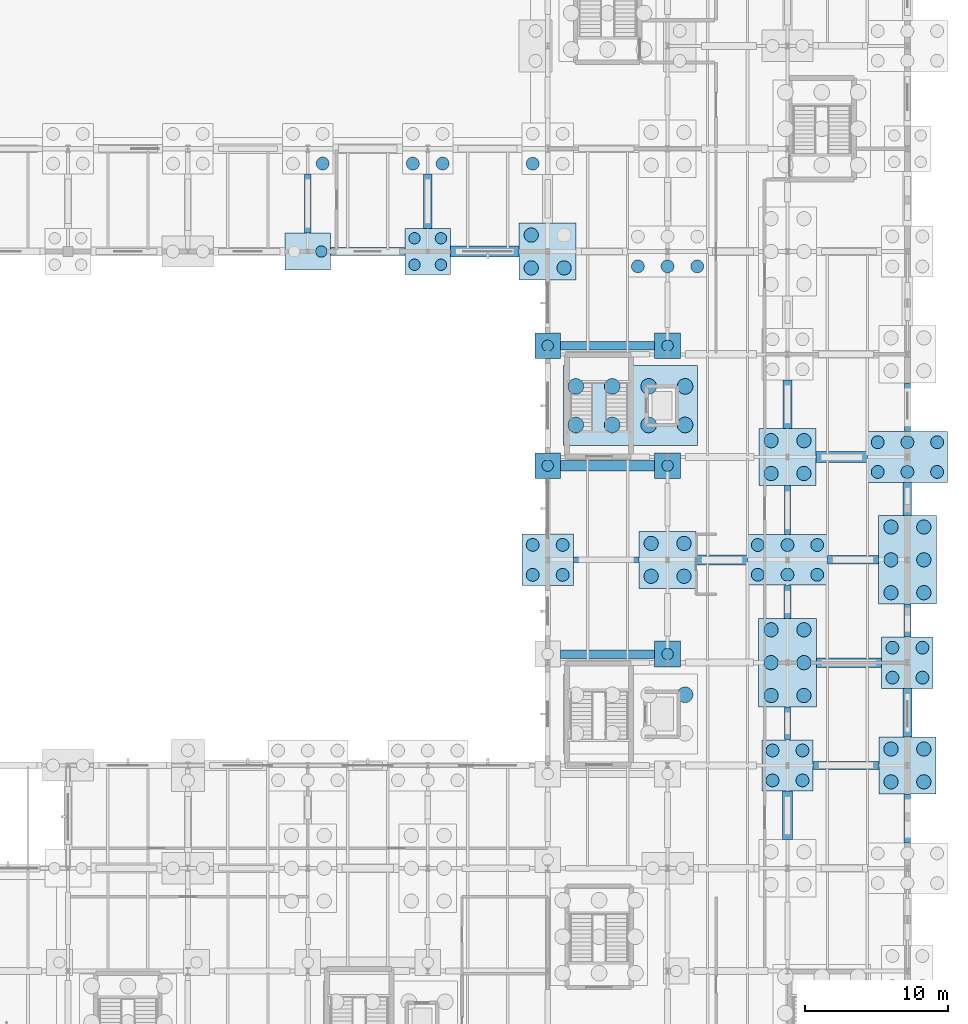
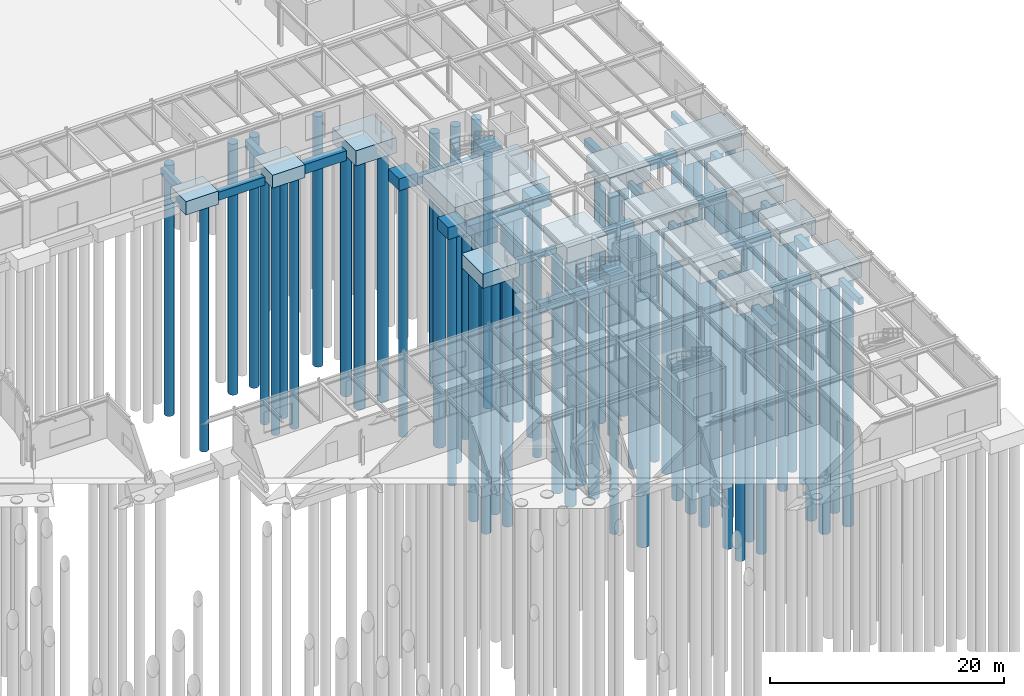
# One storey, part 7 of 93: 77 piles, 42 footings.
"""IFC4 building model written with IfcOpenShell, lengths in metres."""

from ifc_helpers import new_model, si_unit, derived_unit, direction, frame, origin, origin_2d, place, context, subcontext, project, spatial, rectangle, circle, extrude, material, material_profile, profile_set, type_object, element, save


model = new_model("IFC4")

# Units and contexts
model_context = context("Model", 3, precision=1e-05, world=origin(), true_north=direction((0.0, 1.0)))
body_context = subcontext(model_context, "Body", "Model", "MODEL_VIEW")
ifc_project = project(units=[si_unit("LENGTHUNIT", "METRE"), si_unit("AREAUNIT", "SQUARE_METRE"), si_unit("VOLUMEUNIT", "CUBIC_METRE"), si_unit("PLANEANGLEUNIT", "RADIAN"), si_unit("MASSUNIT", "GRAM", prefix="KILO"), derived_unit("THERMALTRANSMITTANCEUNIT", [(si_unit("MASSUNIT", "GRAM", prefix="KILO"), 1), (si_unit("TIMEUNIT", "SECOND"), -3), (si_unit("THERMODYNAMICTEMPERATUREUNIT", "KELVIN"), -1)])], contexts=[model_context])

# Site, building, storey
site_placement = place(None, origin())
site = spatial("IfcSite", under=ifc_project, at=site_placement, CompositionType="ELEMENT")
building_placement = place(site_placement, origin())
building = spatial("IfcBuilding", under=site, at=building_placement, Name="Kharveza Railside Sports Centre", CompositionType="ELEMENT")
storey_placement = place(building_placement, origin())
storey = spatial("IfcBuildingStorey", under=building, at=storey_placement, Name="L00", CompositionType="ELEMENT", Elevation=0.0)

# Footings
ifc_material = material(Name="Concrete C35/45", Category="concrete")
ifc_material_profile_1 = material_profile(ifc_material, rectangle(XDim=0.60009765625, YDim=0.800048828125, at=origin_2d()), Name="GB 600x800")
ifc_profile_set_1 = profile_set([ifc_material_profile_1], Name="Concrete C35/45")
footing_type_1 = type_object("IfcFootingType", Name="FT-GB01", PredefinedType="FOOTING_BEAM", material=ifc_profile_set_1)
footing_1_placement = place(storey_placement, frame((134.39990234375, 73.60302734375, -1.800048828125), z_axis=(0.0, 1.0, 0.0), x_axis=(-1.0, 0.0, 0.0)))
element("IfcFooting", 1, at=footing_1_placement, inside=storey, type_object=footing_type_1, Name="GB-NS-091", PredefinedType="FOOTING_BEAM", context=body_context, shape_type="SweptSolid", body=[
    extrude(rectangle(XDim=0.60009765625, YDim=0.800048828125, at=origin_2d()), origin(), (0.0, 0.0, 1.0), 3.819091796875),
])
footing_2_placement = place(storey_placement, frame((143.702880859375, 65.39990234375, -1.800048828125), z_axis=(1.0, 0.0, 0.0), x_axis=(0.0, 1.0, 0.0)))
element("IfcFooting", 2, at=footing_2_placement, inside=storey, type_object=footing_type_1, Name="GB-EW-101", PredefinedType="FOOTING_BEAM", context=body_context, shape_type="SweptSolid", body=[
    extrude(rectangle(XDim=0.60009765625, YDim=0.800048828125, at=origin_2d()), origin(), (0.0, 0.0, 1.0), 6.59423828125),
])
footing_3_placement = place(storey_placement, frame((159.60009765625, 59.60302734375, -1.800048828125), z_axis=(0.0, 1.0, 0.0), x_axis=(-1.0, 0.0, 0.0)))
element("IfcFooting", 3, at=footing_3_placement, inside=storey, type_object=footing_type_1, Name="GB-NS-131", PredefinedType="FOOTING_BEAM", context=body_context, shape_type="SweptSolid", body=[
    extrude(rectangle(XDim=0.60009765625, YDim=0.800048828125, at=origin_2d()), origin(), (0.0, 0.0, 1.0), 3.39404296875),
])
ifc_material_profile_2 = material_profile(ifc_material, rectangle(XDim=0.699951171875, YDim=0.89990234375, at=origin_2d()), Name="GB 700x900")
ifc_profile_set_2 = profile_set([ifc_material_profile_2], Name="Concrete C35/45")
footing_type_2 = type_object("IfcFootingType", Name="FT-GB03", PredefinedType="FOOTING_BEAM", material=ifc_profile_set_2)
footing_4_placement = place(storey_placement, frame((153.202880859375, 50.39990234375, -1.85009765625), z_axis=(1.0, 0.0, 0.0), x_axis=(0.0, 1.0, 0.0)))
element("IfcFooting", 4, at=footing_4_placement, inside=storey, type_object=footing_type_2, Name="GB-EW-113", PredefinedType="FOOTING_BEAM", context=body_context, shape_type="SweptSolid", body=[
    extrude(rectangle(XDim=0.699951171875, YDim=0.89990234375, at=origin_2d()), origin(), (0.0, 0.0, 1.0), 3.59423828125),
])
footing_5_placement = place(storey_placement, frame((159.60009765625, 30.802978515625, -1.85009765625), z_axis=(0.0, 1.0, 0.0), x_axis=(-1.0, 0.0, 0.0)))
element("IfcFooting", 5, at=footing_5_placement, inside=storey, type_object=footing_type_2, Name="GB-NS-123", PredefinedType="FOOTING_BEAM", context=body_context, shape_type="SweptSolid", body=[
    extrude(rectangle(XDim=0.699951171875, YDim=0.89990234375, at=origin_2d()), origin(), (0.0, 0.0, 1.0), 3.39404296875),
])
ifc_material_profile_3 = material_profile(ifc_material, rectangle(XDim=0.550048828125, YDim=0.85009765625, at=origin_2d()), Name="GB 550x850")
ifc_profile_set_3 = profile_set([ifc_material_profile_3], Name="Concrete C35/45")
footing_type_3 = type_object("IfcFootingType", Name="FT-GB04", PredefinedType="FOOTING_BEAM", material=ifc_profile_set_3)
footing_6_placement = place(storey_placement, frame((127.60302734375, 72.0, -1.824951171875), z_axis=(1.0, 0.0, 0.0), x_axis=(0.0, 1.0, 0.0)))
element("IfcFooting", 6, at=footing_6_placement, inside=storey, type_object=footing_type_3, Name="GB-EW-084", PredefinedType="FOOTING_BEAM", context=body_context, shape_type="SweptSolid", body=[
    extrude(rectangle(XDim=0.550048828125, YDim=0.85009765625, at=origin_2d()), origin(), (0.0, 0.0, 1.0), 5.194091796875),
])
footing_7_placement = place(storey_placement, frame((161.403076171875, 36.0, -1.824951171875), z_axis=(1.0, 0.0, 0.0), x_axis=(0.0, 1.0, 0.0)))
element("IfcFooting", 7, at=footing_7_placement, inside=storey, type_object=footing_type_3, Name="GB-EW-124", PredefinedType="FOOTING_BEAM", context=body_context, shape_type="SweptSolid", body=[
    extrude(rectangle(XDim=0.550048828125, YDim=0.85009765625, at=origin_2d()), origin(), (0.0, 0.0, 1.0), 4.593994140625),
])
ifc_material_profile_4 = material_profile(ifc_material, rectangle(XDim=0.449951171875, YDim=0.699951171875, at=origin_2d()), Name="GB 450x700")
ifc_profile_set_4 = profile_set([ifc_material_profile_4], Name="Concrete C35/45")
footing_type_4 = type_object("IfcFootingType", Name="FT-GB05", PredefinedType="FOOTING_BEAM", material=ifc_profile_set_4)
footing_8_placement = place(storey_placement, frame((126.0, 73.302978515625, -1.75), z_axis=(0.0, 1.0, 0.0), x_axis=(-1.0, 0.0, 0.0)))
element("IfcFooting", 8, at=footing_8_placement, inside=storey, type_object=footing_type_4, Name="GB-NS-085", PredefinedType="FOOTING_BEAM", context=body_context, shape_type="SweptSolid", body=[
    extrude(rectangle(XDim=0.449951171875, YDim=0.699951171875, at=origin_2d()), origin(), (0.0, 0.0, 1.0), 4.119140625),
])
footing_9_placement = place(storey_placement, frame((159.60009765625, 37.802978515625, -1.75), z_axis=(0.0, 1.0, 0.0), x_axis=(-1.0, 0.0, 0.0)))
element("IfcFooting", 9, at=footing_9_placement, inside=storey, type_object=footing_type_4, Name="GB-NS-125", PredefinedType="FOOTING_BEAM", context=body_context, shape_type="SweptSolid", body=[
    extrude(rectangle(XDim=0.449951171875, YDim=0.699951171875, at=origin_2d()), origin(), (0.0, 0.0, 1.0), 2.2939453125),
])
footing_10_placement = place(storey_placement, frame((168.0, 30.577880859375, -1.75), z_axis=(0.0, 1.0, 0.0), x_axis=(-1.0, 0.0, 0.0)))
element("IfcFooting", 10, at=footing_10_placement, inside=storey, type_object=footing_type_4, Name="GB-NS-145", PredefinedType="FOOTING_BEAM", context=body_context, shape_type="SweptSolid", body=[
    extrude(rectangle(XDim=0.449951171875, YDim=0.699951171875, at=origin_2d()), origin(), (0.0, 0.0, 1.0), 3.419189453125),
])
ifc_material_profile_5 = material_profile(ifc_material, rectangle(XDim=0.64990234375, YDim=0.85009765625, at=origin_2d()), Name="GB 650x850")
ifc_profile_set_5 = profile_set([ifc_material_profile_5], Name="Concrete C35/45")
footing_type_5 = type_object("IfcFootingType", Name="FT-GB06", PredefinedType="FOOTING_BEAM", material=ifc_profile_set_5)
footing_11_placement = place(storey_placement, frame((161.6279296875, 43.199951171875, -1.824951171875), z_axis=(1.0, 0.0, 0.0), x_axis=(0.0, 1.0, 0.0)))
element("IfcFooting", 11, at=footing_11_placement, inside=storey, type_object=footing_type_5, Name="GB-EW-126", PredefinedType="FOOTING_BEAM", context=body_context, shape_type="SweptSolid", body=[
    extrude(rectangle(XDim=0.64990234375, YDim=0.85009765625, at=origin_2d()), origin(), (0.0, 0.0, 1.0), 4.569091796875),
])
footing_12_placement = place(storey_placement, frame((168.0, 38.0029296875, -1.824951171875), z_axis=(0.0, 1.0, 0.0), x_axis=(-1.0, 0.0, 0.0)))
element("IfcFooting", 12, at=footing_12_placement, inside=storey, type_object=footing_type_5, Name="GB-NS-146", PredefinedType="FOOTING_BEAM", context=body_context, shape_type="SweptSolid", body=[
    extrude(rectangle(XDim=0.64990234375, YDim=0.85009765625, at=origin_2d()), origin(), (0.0, 0.0, 1.0), 3.39404296875),
])
ifc_material_profile_6 = material_profile(ifc_material, rectangle(XDim=0.5, YDim=0.85009765625, at=origin_2d()), Name="GB 500x850")
ifc_profile_set_6 = profile_set([ifc_material_profile_6], Name="Concrete C35/45")
footing_type_6 = type_object("IfcFootingType", Name="FT-GB07", PredefinedType="FOOTING_BEAM", material=ifc_profile_set_6)
footing_13_placement = place(storey_placement, frame((159.60009765625, 46.302978515625, -1.824951171875), z_axis=(0.0, 1.0, 0.0), x_axis=(-1.0, 0.0, 0.0)))
element("IfcFooting", 13, at=footing_13_placement, inside=storey, type_object=footing_type_6, Name="GB-NS-127", PredefinedType="FOOTING_BEAM", context=body_context, shape_type="SweptSolid", body=[
    extrude(rectangle(XDim=0.5, YDim=0.85009765625, at=origin_2d()), origin(), (0.0, 0.0, 1.0), 2.319091796875),
])
footing_14_placement = place(storey_placement, frame((168.0, 45.0029296875, -1.824951171875), z_axis=(0.0, 1.0, 0.0), x_axis=(-1.0, 0.0, 0.0)))
element("IfcFooting", 14, at=footing_14_placement, inside=storey, type_object=footing_type_6, Name="GB-NS-147", PredefinedType="FOOTING_BEAM", context=body_context, shape_type="SweptSolid", body=[
    extrude(rectangle(XDim=0.5, YDim=0.85009765625, at=origin_2d()), origin(), (0.0, 0.0, 1.0), 2.294189453125),
])
ifc_material_profile_7 = material_profile(ifc_material, rectangle(XDim=0.60009765625, YDim=0.949951171875, at=origin_2d()), Name="GB 600x950")
ifc_profile_set_7 = profile_set([ifc_material_profile_7], Name="Concrete C35/45")
footing_type_7 = type_object("IfcFootingType", Name="FT-GB08", PredefinedType="FOOTING_BEAM", material=ifc_profile_set_7)
footing_15_placement = place(storey_placement, frame((143.702880859375, 43.800048828125, -1.875), z_axis=(1.0, 0.0, 0.0), x_axis=(0.0, 1.0, 0.0)))
element("IfcFooting", 15, at=footing_15_placement, inside=storey, type_object=footing_type_7, Name="GB-EW-098", PredefinedType="FOOTING_BEAM", context=body_context, shape_type="SweptSolid", body=[
    extrude(rectangle(XDim=0.60009765625, YDim=0.949951171875, at=origin_2d()), origin(), (0.0, 0.0, 1.0), 6.59423828125),
])
footing_16_placement = place(storey_placement, frame((162.403076171875, 50.39990234375, -1.875), z_axis=(1.0, 0.0, 0.0), x_axis=(0.0, 1.0, 0.0)))
element("IfcFooting", 16, at=footing_16_placement, inside=storey, type_object=footing_type_7, Name="GB-EW-128", PredefinedType="FOOTING_BEAM", context=body_context, shape_type="SweptSolid", body=[
    extrude(rectangle(XDim=0.60009765625, YDim=0.949951171875, at=origin_2d()), origin(), (0.0, 0.0, 1.0), 3.56884765625),
])
footing_17_placement = place(storey_placement, frame((168.0, 53.5029296875, -1.875), z_axis=(0.0, 1.0, 0.0), x_axis=(-1.0, 0.0, 0.0)))
element("IfcFooting", 17, at=footing_17_placement, inside=storey, type_object=footing_type_7, Name="GB-NS-148", PredefinedType="FOOTING_BEAM", context=body_context, shape_type="SweptSolid", body=[
    extrude(rectangle(XDim=0.60009765625, YDim=0.949951171875, at=origin_2d()), origin(), (0.0, 0.0, 1.0), 2.319091796875),
])
ifc_material_profile_8 = material_profile(ifc_material, rectangle(XDim=0.39990234375, YDim=0.64990234375, at=origin_2d()), Name="GB 400x650")
ifc_profile_set_8 = profile_set([ifc_material_profile_8], Name="Concrete C35/45")
footing_type_8 = type_object("IfcFootingType", Name="FT-GB09", PredefinedType="FOOTING_BEAM", material=ifc_profile_set_8)
footing_18_placement = place(storey_placement, frame((144.60302734375, 50.39990234375, -1.72509765625), z_axis=(1.0, 0.0, 0.0), x_axis=(0.0, 1.0, 0.0)))
element("IfcFooting", 18, at=footing_18_placement, inside=storey, type_object=footing_type_8, Name="GB-EW-099", PredefinedType="FOOTING_BEAM", context=body_context, shape_type="SweptSolid", body=[
    extrude(rectangle(XDim=0.39990234375, YDim=0.64990234375, at=origin_2d()), origin(), (0.0, 0.0, 1.0), 4.593994140625),
])
footing_19_placement = place(storey_placement, frame((159.60009765625, 52.177978515625, -1.72509765625), z_axis=(0.0, 1.0, 0.0), x_axis=(-1.0, 0.0, 0.0)))
element("IfcFooting", 19, at=footing_19_placement, inside=storey, type_object=footing_type_8, Name="GB-NS-129", PredefinedType="FOOTING_BEAM", context=body_context, shape_type="SweptSolid", body=[
    extrude(rectangle(XDim=0.39990234375, YDim=0.64990234375, at=origin_2d()), origin(), (0.0, 0.0, 1.0), 3.4189453125),
])
footing_20_placement = place(storey_placement, frame((168.0, 59.3779296875, -1.72509765625), z_axis=(0.0, 1.0, 0.0), x_axis=(-1.0, 0.0, 0.0)))
element("IfcFooting", 20, at=footing_20_placement, inside=storey, type_object=footing_type_8, Name="GB-NS-149", PredefinedType="FOOTING_BEAM", context=body_context, shape_type="SweptSolid", body=[
    extrude(rectangle(XDim=0.39990234375, YDim=0.64990234375, at=origin_2d()), origin(), (0.0, 0.0, 1.0), 3.419189453125),
])
ifc_material_profile_9 = material_profile(ifc_material, rectangle(XDim=0.75, YDim=1.0, at=origin_2d()), Name="GB 750x1000")
ifc_profile_set_9 = profile_set([ifc_material_profile_9], Name="Concrete C35/45")
footing_type_9 = type_object("IfcFootingType", Name="FT-GB10", PredefinedType="FOOTING_BEAM", material=ifc_profile_set_9)
footing_21_placement = place(storey_placement, frame((136.0029296875, 72.0, -1.89990234375), z_axis=(1.0, 0.0, 0.0), x_axis=(0.0, 1.0, 0.0)))
element("IfcFooting", 21, at=footing_21_placement, inside=storey, type_object=footing_type_9, Name="GB-EW-090", PredefinedType="FOOTING_BEAM", context=body_context, shape_type="SweptSolid", body=[
    extrude(rectangle(XDim=0.75, YDim=1.0, at=origin_2d()), origin(), (0.0, 0.0, 1.0), 4.794189453125),
])
footing_22_placement = place(storey_placement, frame((143.702880859375, 57.0, -1.89990234375), z_axis=(1.0, 0.0, 0.0), x_axis=(0.0, 1.0, 0.0)))
element("IfcFooting", 22, at=footing_22_placement, inside=storey, type_object=footing_type_9, Name="GB-EW-100", PredefinedType="FOOTING_BEAM", context=body_context, shape_type="SweptSolid", body=[
    extrude(rectangle(XDim=0.75, YDim=1.0, at=origin_2d()), origin(), (0.0, 0.0, 1.0), 6.59423828125),
])
footing_23_placement = place(storey_placement, frame((161.60302734375, 57.60009765625, -1.89990234375), z_axis=(1.0, 0.0, 0.0), x_axis=(0.0, 1.0, 0.0)))
element("IfcFooting", 23, at=footing_23_placement, inside=storey, type_object=footing_type_9, Name="GB-EW-130", PredefinedType="FOOTING_BEAM", context=body_context, shape_type="SweptSolid", body=[
    extrude(rectangle(XDim=0.75, YDim=1.0, at=origin_2d()), origin(), (0.0, 0.0, 1.0), 3.593994140625),
])
footing_type_10 = type_object("IfcFootingType", Name="FT-PC01", PredefinedType="PILE_CAP", material=ifc_material)
footing_24_placement = place(storey_placement, frame((126.0, 72.0, -1.820068359375), z_axis=(0.0, 0.0, 1.0), x_axis=(1.0, 0.0, 0.0)))
element("IfcFooting", 24, at=footing_24_placement, inside=storey, type_object=footing_type_10, Name="FCAP-GRD-076", PredefinedType="PILE_CAP", context=body_context, shape_type="SweptSolid", body=[
    extrude(rectangle(XDim=3.199951171875, YDim=2.60009765625, at=origin_2d()), origin(), (0.0, 0.0, 1.0), 1.39990234375),
])
footing_type_11 = type_object("IfcFootingType", Name="FT-PC04", PredefinedType="PILE_CAP", material=ifc_material)
for number, where, z_axis, x_axis, name in (
    (25, (142.800048828125, 50.39990234375, -1.919921875), (0.0, 0.0, 1.0), (1.0, 0.0, 0.0), "FCAP-GRD-093"),
    (26, (159.60009765625, 36.0, -1.919921875), (0.0, 0.0, 1.0), (1.0, 0.0, 0.0), "FCAP-GRD-121"),
    (27, (168.0, 43.199951171875, -1.919921875), (0.0, 0.0, 1.0), (1.0, 0.0, 0.0), "FCAP-GRD-137"),
):
    element("IfcFooting", number, at=place(storey_placement, frame(where, z_axis=z_axis, x_axis=x_axis)), inside=storey, type_object=footing_type_11, Name=name, PredefinedType="PILE_CAP", context=body_context, shape_type="SweptSolid", body=[
        extrude(rectangle(XDim=3.60009765625, YDim=3.60009765625, at=origin_2d()), origin(), (0.0, 0.0, 1.0), 1.5),
    ])
footing_type_12 = type_object("IfcFootingType", Name="FT-PC05", PredefinedType="PILE_CAP", material=ifc_material)
for number, where, z_axis, x_axis, name in (
    (28, (142.800048828125, 72.0, -2.02001953125), (0.0, 0.0, 1.0), (1.0, 0.0, 0.0), "FCAP-GRD-096"),
    (29, (151.199951171875, 50.39990234375, -2.02001953125), (0.0, 0.0, 1.0), (1.0, 0.0, 0.0), "FCAP-GRD-108"),
    (30, (159.60009765625, 57.60009765625, -2.02001953125), (0.0, 0.0, 1.0), (1.0, 0.0, 0.0), "FCAP-GRD-124"),
    (31, (168.0, 36.0, -2.02001953125), (0.0, 0.0, 1.0), (1.0, 0.0, 0.0), "FCAP-GRD-136"),
):
    element("IfcFooting", number, at=place(storey_placement, frame(where, z_axis=z_axis, x_axis=x_axis)), inside=storey, type_object=footing_type_12, Name=name, PredefinedType="PILE_CAP", context=body_context, shape_type="SweptSolid", body=[
        extrude(rectangle(XDim=4.0, YDim=4.0, at=origin_2d()), origin(), (0.0, 0.0, 1.0), 1.60009765625),
    ])
footing_type_13 = type_object("IfcFootingType", Name="FT-PC07", PredefinedType="PILE_CAP", material=ifc_material)
for number, where, z_axis, x_axis, name in (
    (32, (159.60009765625, 43.199951171875, -2.070068359375), (0.0, 0.0, 1.0), (1.0, 0.0, 0.0), "FCAP-GRD-122"),
    (33, (168.0, 50.39990234375, -2.070068359375), (0.0, 0.0, 1.0), (1.0, 0.0, 0.0), "FCAP-GRD-138"),
):
    element("IfcFooting", number, at=place(storey_placement, frame(where, z_axis=z_axis, x_axis=x_axis)), inside=storey, type_object=footing_type_13, Name=name, PredefinedType="PILE_CAP", context=body_context, shape_type="SweptSolid", body=[
        extrude(rectangle(XDim=4.050048828125, YDim=6.199951171875, at=origin_2d()), origin(), (0.0, 0.0, 1.0), 1.64990234375),
    ])
footing_type_14 = type_object("IfcFootingType", Name="FT-PC09", PredefinedType="PILE_CAP", material=ifc_material)
footing_25_placement = place(storey_placement, frame((148.60009765625, 61.199951171875, -2.1201171875), z_axis=(0.0, 0.0, 1.0), x_axis=(1.0, 0.0, 0.0)))
element("IfcFooting", 34, at=footing_25_placement, inside=storey, type_object=footing_type_14, Name="FCAP-CORE-02", PredefinedType="PILE_CAP", context=body_context, shape_type="SweptSolid", body=[
    extrude(rectangle(XDim=9.39990234375, YDim=5.60009765625, at=origin_2d()), origin(), (0.0, 0.0, 1.0), 1.699951171875),
])
footing_type_15 = type_object("IfcFootingType", Name="FT-PC10", PredefinedType="PILE_CAP", material=ifc_material)
footing_26_placement = place(storey_placement, frame((134.39990234375, 72.0, -1.77001953125), z_axis=(0.0, 0.0, 1.0), x_axis=(1.0, 0.0, 0.0)))
element("IfcFooting", 35, at=footing_26_placement, inside=storey, type_object=footing_type_15, Name="FCAP-GRD-084", PredefinedType="PILE_CAP", context=body_context, shape_type="SweptSolid", body=[
    extrude(rectangle(XDim=3.199951171875, YDim=3.199951171875, at=origin_2d()), origin(), (0.0, 0.0, 1.0), 1.35009765625),
])
footing_type_16 = type_object("IfcFootingType", Name="FT-PC12", PredefinedType="PILE_CAP", material=ifc_material)
for number, where, z_axis, x_axis, name in (
    (36, (159.60009765625, 50.39990234375, -1.919921875), (0.0, 0.0, 1.0), (1.0, 0.0, 0.0), "FCAP-GRD-123"),
    (37, (168.0, 57.60009765625, -1.919921875), (0.0, 0.0, 1.0), (1.0, 0.0, 0.0), "FCAP-GRD-139"),
):
    element("IfcFooting", number, at=place(storey_placement, frame(where, z_axis=z_axis, x_axis=x_axis)), inside=storey, type_object=footing_type_16, Name=name, PredefinedType="PILE_CAP", context=body_context, shape_type="SweptSolid", body=[
        extrude(rectangle(XDim=5.60009765625, YDim=3.550048828125, at=origin_2d()), origin(), (0.0, 0.0, 1.0), 1.5),
    ])
footing_type_17 = type_object("IfcFootingType", Name="FT-PC13", PredefinedType="PILE_CAP", material=ifc_material)
for number, where, z_axis, x_axis, name in (
    (38, (142.800048828125, 57.0, -1.669921875), (0.0, 0.0, 1.0), (1.0, 0.0, 0.0), "FCAP-GRD-094"),
    (39, (142.800048828125, 65.39990234375, -1.669921875), (0.0, 0.0, 1.0), (1.0, 0.0, 0.0), "FCAP-GRD-095"),
    (40, (151.199951171875, 43.800048828125, -1.669921875), (0.0, 0.0, 1.0), (1.0, 0.0, 0.0), "FCAP-GRD-107"),
    (41, (151.199951171875, 57.0, -1.669921875), (0.0, 0.0, 1.0), (1.0, 0.0, 0.0), "FCAP-GRD-109"),
    (42, (151.199951171875, 65.39990234375, -1.669921875), (0.0, 0.0, 1.0), (1.0, 0.0, 0.0), "FCAP-GRD-110"),
):
    element("IfcFooting", number, at=place(storey_placement, frame(where, z_axis=z_axis, x_axis=x_axis)), inside=storey, type_object=footing_type_17, Name=name, PredefinedType="PILE_CAP", context=body_context, shape_type="SweptSolid", body=[
        extrude(rectangle(XDim=1.800048828125, YDim=1.800048828125, at=origin_2d()), origin(), (0.0, 0.0, 1.0), 1.25),
    ])

# Piles
ifc_material_profile_10 = material_profile(ifc_material, circle(Radius=0.5, at=origin_2d()), Name="PILE D1000")
ifc_profile_set_10 = profile_set([ifc_material_profile_10], Name="Concrete C35/45")
pile_type_1 = type_object("IfcPileType", Name="PL-B1000", PredefinedType="BORED", material=ifc_profile_set_10)
for number, where, z_axis, x_axis, name in (
    (43, (141.64990234375, 70.85009765625, -1.919921875), (0.0, 0.0, -1.0), (1.0, 0.0, 0.0), "FCAP-GRD-096-P02-PL1"),
    (44, (143.949951171875, 70.85009765625, -1.919921875), (0.0, 0.0, -1.0), (1.0, 0.0, 0.0), "FCAP-GRD-096-P02-PL2"),
    (45, (141.64990234375, 73.14990234375, -1.919921875), (0.0, 0.0, -1.0), (1.0, 0.0, 0.0), "FCAP-GRD-096-P02-PL3"),
    (46, (150.050048828125, 49.25, -1.919921875), (0.0, 0.0, -1.0), (1.0, 0.0, 0.0), "FCAP-GRD-108-P02-PL1"),
    (47, (152.35009765625, 49.25, -1.919921875), (0.0, 0.0, -1.0), (1.0, 0.0, 0.0), "FCAP-GRD-108-P02-PL2"),
    (48, (150.050048828125, 51.550048828125, -1.919921875), (0.0, 0.0, -1.0), (1.0, 0.0, 0.0), "FCAP-GRD-108-P02-PL3"),
    (49, (152.35009765625, 51.550048828125, -1.919921875), (0.0, 0.0, -1.0), (1.0, 0.0, 0.0), "FCAP-GRD-108-P02-PL4"),
):
    element("IfcPile", number, at=place(storey_placement, frame(where, z_axis=z_axis, x_axis=x_axis)), inside=storey, type_object=pile_type_1, Name=name, PredefinedType="BORED", context=body_context, shape_type="SweptSolid", body=[
        extrude(circle(Radius=0.5, at=origin_2d()), origin(), (0.0, 0.0, 1.0), 26.080078125),
    ])
for number, where, z_axis, x_axis, name in (
    (50, (158.449951171875, 40.89990234375, -1.969970703125), (0.0, 0.0, -1.0), (1.0, 0.0, 0.0), "FCAP-GRD-122-P02-PL1"),
    (51, (160.75, 40.89990234375, -1.969970703125), (0.0, 0.0, -1.0), (1.0, 0.0, 0.0), "FCAP-GRD-122-P02-PL2"),
    (52, (158.449951171875, 43.199951171875, -1.969970703125), (0.0, 0.0, -1.0), (1.0, 0.0, 0.0), "FCAP-GRD-122-P02-PL3"),
    (53, (160.75, 43.199951171875, -1.969970703125), (0.0, 0.0, -1.0), (1.0, 0.0, 0.0), "FCAP-GRD-122-P02-PL4"),
    (54, (158.449951171875, 45.5, -1.969970703125), (0.0, 0.0, -1.0), (1.0, 0.0, 0.0), "FCAP-GRD-122-P02-PL5"),
    (55, (160.75, 45.5, -1.969970703125), (0.0, 0.0, -1.0), (1.0, 0.0, 0.0), "FCAP-GRD-122-P02-PL6"),
):
    element("IfcPile", number, at=place(storey_placement, frame(where, z_axis=z_axis, x_axis=x_axis)), inside=storey, type_object=pile_type_1, Name=name, PredefinedType="BORED", context=body_context, shape_type="SweptSolid", body=[
        extrude(circle(Radius=0.5, at=origin_2d()), origin(), (0.0, 0.0, 1.0), 26.030029296875),
    ])
for number, where, z_axis, x_axis, name in (
    (56, (158.449951171875, 56.449951171875, -1.919921875), (0.0, 0.0, -1.0), (1.0, 0.0, 0.0), "FCAP-GRD-124-P02-PL1"),
    (57, (160.75, 56.449951171875, -1.919921875), (0.0, 0.0, -1.0), (1.0, 0.0, 0.0), "FCAP-GRD-124-P02-PL2"),
    (58, (158.449951171875, 58.75, -1.919921875), (0.0, 0.0, -1.0), (1.0, 0.0, 0.0), "FCAP-GRD-124-P02-PL3"),
    (59, (160.75, 58.75, -1.919921875), (0.0, 0.0, -1.0), (1.0, 0.0, 0.0), "FCAP-GRD-124-P02-PL4"),
    (60, (166.85009765625, 34.85009765625, -1.919921875), (0.0, 0.0, -1.0), (1.0, 0.0, 0.0), "FCAP-GRD-136-P02-PL1"),
    (61, (169.14990234375, 34.85009765625, -1.919921875), (0.0, 0.0, -1.0), (1.0, 0.0, 0.0), "FCAP-GRD-136-P02-PL2"),
    (62, (166.85009765625, 37.14990234375, -1.919921875), (0.0, 0.0, -1.0), (1.0, 0.0, 0.0), "FCAP-GRD-136-P02-PL3"),
    (63, (169.14990234375, 37.14990234375, -1.919921875), (0.0, 0.0, -1.0), (1.0, 0.0, 0.0), "FCAP-GRD-136-P02-PL4"),
):
    element("IfcPile", number, at=place(storey_placement, frame(where, z_axis=z_axis, x_axis=x_axis)), inside=storey, type_object=pile_type_1, Name=name, PredefinedType="BORED", context=body_context, shape_type="SweptSolid", body=[
        extrude(circle(Radius=0.5, at=origin_2d()), origin(), (0.0, 0.0, 1.0), 26.080078125),
    ])
for number, where, z_axis, x_axis, name in (
    (64, (166.85009765625, 48.10009765625, -1.969970703125), (0.0, 0.0, -1.0), (1.0, 0.0, 0.0), "FCAP-GRD-138-P02-PL1"),
    (65, (169.14990234375, 48.10009765625, -1.969970703125), (0.0, 0.0, -1.0), (1.0, 0.0, 0.0), "FCAP-GRD-138-P02-PL2"),
    (66, (166.85009765625, 50.39990234375, -1.969970703125), (0.0, 0.0, -1.0), (1.0, 0.0, 0.0), "FCAP-GRD-138-P02-PL3"),
    (67, (169.14990234375, 50.39990234375, -1.969970703125), (0.0, 0.0, -1.0), (1.0, 0.0, 0.0), "FCAP-GRD-138-P02-PL4"),
    (68, (166.85009765625, 52.699951171875, -1.969970703125), (0.0, 0.0, -1.0), (1.0, 0.0, 0.0), "FCAP-GRD-138-P02-PL5"),
    (69, (169.14990234375, 52.699951171875, -1.969970703125), (0.0, 0.0, -1.0), (1.0, 0.0, 0.0), "FCAP-GRD-138-P02-PL6"),
):
    element("IfcPile", number, at=place(storey_placement, frame(where, z_axis=z_axis, x_axis=x_axis)), inside=storey, type_object=pile_type_1, Name=name, PredefinedType="BORED", context=body_context, shape_type="SweptSolid", body=[
        extrude(circle(Radius=0.5, at=origin_2d()), origin(), (0.0, 0.0, 1.0), 26.030029296875),
    ])
ifc_material_profile_11 = material_profile(ifc_material, circle(Radius=0.550048828125, at=origin_2d()), Name="PILE D1100")
ifc_profile_set_11 = profile_set([ifc_material_profile_11], Name="Concrete C35/45")
pile_type_2 = type_object("IfcPileType", Name="PL-B1100", PredefinedType="BORED", material=ifc_profile_set_11)
for number, where, z_axis, x_axis, name in (
    (70, (152.425048828125, 40.949951171875, -2.02001953125), (0.0, 0.0, -1.0), (1.0, 0.0, 0.0), "FCAP-CORE-01-P03-PL8"),
    (71, (144.77490234375, 59.85009765625, -2.02001953125), (0.0, 0.0, -1.0), (1.0, 0.0, 0.0), "FCAP-CORE-02-P03-PL1"),
    (72, (147.324951171875, 59.85009765625, -2.02001953125), (0.0, 0.0, -1.0), (1.0, 0.0, 0.0), "FCAP-CORE-02-P03-PL2"),
    (73, (149.875, 59.85009765625, -2.02001953125), (0.0, 0.0, -1.0), (1.0, 0.0, 0.0), "FCAP-CORE-02-P03-PL3"),
    (74, (152.425048828125, 59.85009765625, -2.02001953125), (0.0, 0.0, -1.0), (1.0, 0.0, 0.0), "FCAP-CORE-02-P03-PL4"),
    (75, (144.77490234375, 62.550048828125, -2.02001953125), (0.0, 0.0, -1.0), (1.0, 0.0, 0.0), "FCAP-CORE-02-P03-PL5"),
    (76, (147.324951171875, 62.550048828125, -2.02001953125), (0.0, 0.0, -1.0), (1.0, 0.0, 0.0), "FCAP-CORE-02-P03-PL6"),
    (77, (149.875, 62.550048828125, -2.02001953125), (0.0, 0.0, -1.0), (1.0, 0.0, 0.0), "FCAP-CORE-02-P03-PL7"),
    (78, (152.425048828125, 62.550048828125, -2.02001953125), (0.0, 0.0, -1.0), (1.0, 0.0, 0.0), "FCAP-CORE-02-P03-PL8"),
):
    element("IfcPile", number, at=place(storey_placement, frame(where, z_axis=z_axis, x_axis=x_axis)), inside=storey, type_object=pile_type_2, Name=name, PredefinedType="BORED", context=body_context, shape_type="SweptSolid", body=[
        extrude(circle(Radius=0.550048828125, at=origin_2d()), origin(), (0.0, 0.0, 1.0), 25.97998046875),
    ])
ifc_material_profile_12 = material_profile(ifc_material, circle(Radius=0.39990234375, at=origin_2d()), Name="PILE D800")
ifc_profile_set_12 = profile_set([ifc_material_profile_12], Name="Concrete C35/45")
pile_type_3 = type_object("IfcPileType", Name="PL-B800", PredefinedType="BORED", material=ifc_profile_set_12)
pile_placement = place(storey_placement, frame((126.949951171875, 72.0, -1.719970703125), z_axis=(0.0, 0.0, -1.0), x_axis=(1.0, 0.0, 0.0)))
element("IfcPile", 79, at=pile_placement, inside=storey, type_object=pile_type_3, Name="FCAP-GRD-076-P04-PL2", PredefinedType="BORED", context=body_context, shape_type="SweptSolid", body=[
    extrude(circle(Radius=0.39990234375, at=origin_2d()), origin(), (0.0, 0.0, 1.0), 26.280029296875),
])
for number, where, z_axis, x_axis, name in (
    (80, (133.47509765625, 71.074951171875, -1.669921875), (0.0, 0.0, -1.0), (1.0, 0.0, 0.0), "FCAP-GRD-084-P04-PL1"),
    (81, (135.324951171875, 71.074951171875, -1.669921875), (0.0, 0.0, -1.0), (1.0, 0.0, 0.0), "FCAP-GRD-084-P04-PL2"),
    (82, (133.47509765625, 72.925048828125, -1.669921875), (0.0, 0.0, -1.0), (1.0, 0.0, 0.0), "FCAP-GRD-084-P04-PL3"),
    (83, (135.324951171875, 72.925048828125, -1.669921875), (0.0, 0.0, -1.0), (1.0, 0.0, 0.0), "FCAP-GRD-084-P04-PL4"),
):
    element("IfcPile", number, at=place(storey_placement, frame(where, z_axis=z_axis, x_axis=x_axis)), inside=storey, type_object=pile_type_3, Name=name, PredefinedType="BORED", context=body_context, shape_type="SweptSolid", body=[
        extrude(circle(Radius=0.39990234375, at=origin_2d()), origin(), (0.0, 0.0, 1.0), 26.330078125),
    ])
for number, where, z_axis, x_axis, name in (
    (84, (142.800048828125, 57.0, -1.570068359375), (0.0, 0.0, -1.0), (1.0, 0.0, 0.0), "FCAP-GRD-094-P04-PL1"),
    (85, (142.800048828125, 65.39990234375, -1.570068359375), (0.0, 0.0, -1.0), (1.0, 0.0, 0.0), "FCAP-GRD-095-P04-PL1"),
    (86, (151.199951171875, 43.800048828125, -1.570068359375), (0.0, 0.0, -1.0), (1.0, 0.0, 0.0), "FCAP-GRD-107-P04-PL1"),
    (87, (151.199951171875, 57.0, -1.570068359375), (0.0, 0.0, -1.0), (1.0, 0.0, 0.0), "FCAP-GRD-109-P04-PL1"),
    (88, (151.199951171875, 65.39990234375, -1.570068359375), (0.0, 0.0, -1.0), (1.0, 0.0, 0.0), "FCAP-GRD-110-P04-PL1"),
):
    element("IfcPile", number, at=place(storey_placement, frame(where, z_axis=z_axis, x_axis=x_axis)), inside=storey, type_object=pile_type_3, Name=name, PredefinedType="BORED", context=body_context, shape_type="SweptSolid", body=[
        extrude(circle(Radius=0.39990234375, at=origin_2d()), origin(), (0.0, 0.0, 1.0), 26.429931640625),
    ])
ifc_material_profile_13 = material_profile(ifc_material, circle(Radius=0.449951171875, at=origin_2d()), Name="PILE D900")
ifc_profile_set_13 = profile_set([ifc_material_profile_13], Name="Concrete C35/45")
pile_type_4 = type_object("IfcPileType", Name="PL-B900", PredefinedType="BORED", material=ifc_profile_set_13)
for number, where, z_axis, x_axis, name in (
    (89, (127.0400390625, 78.159912109375, -1.77001953125), (0.0, 0.0, -1.0), (1.0, 0.0, 0.0), "FCAP-GRD-077-P01-PL2"),
    (90, (133.360107421875, 78.159912109375, -1.77001953125), (0.0, 0.0, -1.0), (1.0, 0.0, 0.0), "FCAP-GRD-085-P01-PL1"),
    (91, (135.43994140625, 78.159912109375, -1.77001953125), (0.0, 0.0, -1.0), (1.0, 0.0, 0.0), "FCAP-GRD-085-P01-PL2"),
):
    element("IfcPile", number, at=place(storey_placement, frame(where, z_axis=z_axis, x_axis=x_axis)), inside=storey, type_object=pile_type_4, Name=name, PredefinedType="BORED", context=body_context, shape_type="SweptSolid", body=[
        extrude(circle(Radius=0.449951171875, at=origin_2d()), origin(), (0.0, 0.0, 1.0), 26.22998046875),
    ])
for number, where, z_axis, x_axis, name in (
    (92, (141.75, 49.35009765625, -1.820068359375), (0.0, 0.0, -1.0), (1.0, 0.0, 0.0), "FCAP-GRD-093-P01-PL1"),
    (93, (143.85009765625, 49.35009765625, -1.820068359375), (0.0, 0.0, -1.0), (1.0, 0.0, 0.0), "FCAP-GRD-093-P01-PL2"),
    (94, (141.75, 51.449951171875, -1.820068359375), (0.0, 0.0, -1.0), (1.0, 0.0, 0.0), "FCAP-GRD-093-P01-PL3"),
    (95, (143.85009765625, 51.449951171875, -1.820068359375), (0.0, 0.0, -1.0), (1.0, 0.0, 0.0), "FCAP-GRD-093-P01-PL4"),
    (96, (141.75, 78.14990234375, -1.820068359375), (0.0, 0.0, -1.0), (1.0, 0.0, 0.0), "FCAP-GRD-097-P01-PL1"),
    (97, (149.1201171875, 70.9599609375, -1.820068359375), (0.0, 0.0, -1.0), (1.0, 0.0, 0.0), "FCAP-GRD-111-P01-PL1"),
    (98, (151.199951171875, 70.9599609375, -1.820068359375), (0.0, 0.0, -1.0), (1.0, 0.0, 0.0), "FCAP-GRD-111-P01-PL2"),
    (99, (153.280029296875, 70.9599609375, -1.820068359375), (0.0, 0.0, -1.0), (1.0, 0.0, 0.0), "FCAP-GRD-111-P01-PL3"),
    (100, (158.550048828125, 34.949951171875, -1.820068359375), (0.0, 0.0, -1.0), (1.0, 0.0, 0.0), "FCAP-GRD-121-P01-PL1"),
    (101, (160.64990234375, 34.949951171875, -1.820068359375), (0.0, 0.0, -1.0), (1.0, 0.0, 0.0), "FCAP-GRD-121-P01-PL2"),
    (102, (158.550048828125, 37.050048828125, -1.820068359375), (0.0, 0.0, -1.0), (1.0, 0.0, 0.0), "FCAP-GRD-121-P01-PL3"),
    (103, (160.64990234375, 37.050048828125, -1.820068359375), (0.0, 0.0, -1.0), (1.0, 0.0, 0.0), "FCAP-GRD-121-P01-PL4"),
    (104, (157.52001953125, 49.360107421875, -1.820068359375), (0.0, 0.0, -1.0), (1.0, 0.0, 0.0), "FCAP-GRD-123-P01-PL1"),
    (105, (159.60009765625, 49.360107421875, -1.820068359375), (0.0, 0.0, -1.0), (1.0, 0.0, 0.0), "FCAP-GRD-123-P01-PL2"),
    (106, (161.679931640625, 49.360107421875, -1.820068359375), (0.0, 0.0, -1.0), (1.0, 0.0, 0.0), "FCAP-GRD-123-P01-PL3"),
    (107, (157.52001953125, 51.43994140625, -1.820068359375), (0.0, 0.0, -1.0), (1.0, 0.0, 0.0), "FCAP-GRD-123-P01-PL4"),
    (108, (159.60009765625, 51.43994140625, -1.820068359375), (0.0, 0.0, -1.0), (1.0, 0.0, 0.0), "FCAP-GRD-123-P01-PL5"),
    (109, (161.679931640625, 51.43994140625, -1.820068359375), (0.0, 0.0, -1.0), (1.0, 0.0, 0.0), "FCAP-GRD-123-P01-PL6"),
    (110, (166.949951171875, 42.14990234375, -1.820068359375), (0.0, 0.0, -1.0), (1.0, 0.0, 0.0), "FCAP-GRD-137-P01-PL1"),
    (111, (169.050048828125, 42.14990234375, -1.820068359375), (0.0, 0.0, -1.0), (1.0, 0.0, 0.0), "FCAP-GRD-137-P01-PL2"),
    (112, (166.949951171875, 44.25, -1.820068359375), (0.0, 0.0, -1.0), (1.0, 0.0, 0.0), "FCAP-GRD-137-P01-PL3"),
    (113, (169.050048828125, 44.25, -1.820068359375), (0.0, 0.0, -1.0), (1.0, 0.0, 0.0), "FCAP-GRD-137-P01-PL4"),
    (114, (165.919921875, 56.56005859375, -1.820068359375), (0.0, 0.0, -1.0), (1.0, 0.0, 0.0), "FCAP-GRD-139-P01-PL1"),
    (115, (168.0, 56.56005859375, -1.820068359375), (0.0, 0.0, -1.0), (1.0, 0.0, 0.0), "FCAP-GRD-139-P01-PL2"),
    (116, (170.080078125, 56.56005859375, -1.820068359375), (0.0, 0.0, -1.0), (1.0, 0.0, 0.0), "FCAP-GRD-139-P01-PL3"),
    (117, (165.919921875, 58.639892578125, -1.820068359375), (0.0, 0.0, -1.0), (1.0, 0.0, 0.0), "FCAP-GRD-139-P01-PL4"),
    (118, (168.0, 58.639892578125, -1.820068359375), (0.0, 0.0, -1.0), (1.0, 0.0, 0.0), "FCAP-GRD-139-P01-PL5"),
    (119, (170.080078125, 58.639892578125, -1.820068359375), (0.0, 0.0, -1.0), (1.0, 0.0, 0.0), "FCAP-GRD-139-P01-PL6"),
):
    element("IfcPile", number, at=place(storey_placement, frame(where, z_axis=z_axis, x_axis=x_axis)), inside=storey, type_object=pile_type_4, Name=name, PredefinedType="BORED", context=body_context, shape_type="SweptSolid", body=[
        extrude(circle(Radius=0.449951171875, at=origin_2d()), origin(), (0.0, 0.0, 1.0), 26.179931640625),
    ])

save(model, "model.ifc")
